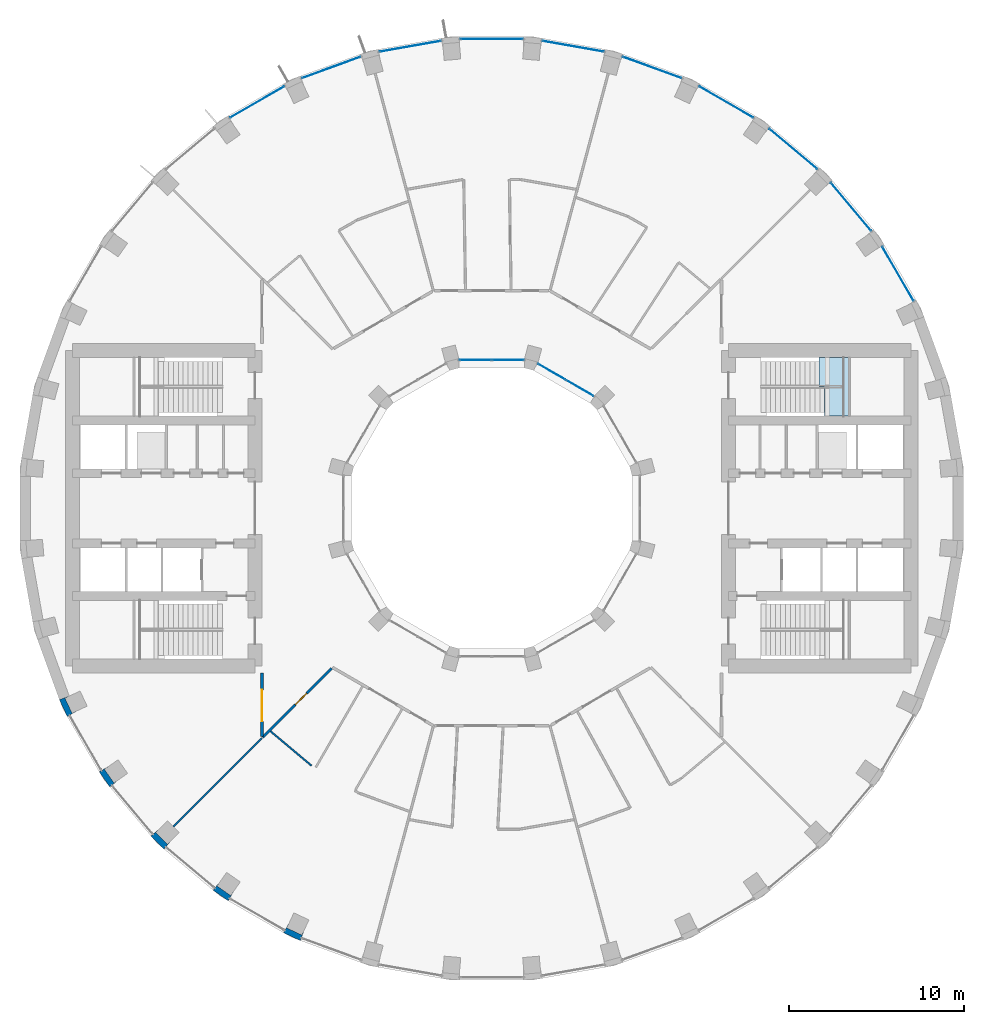
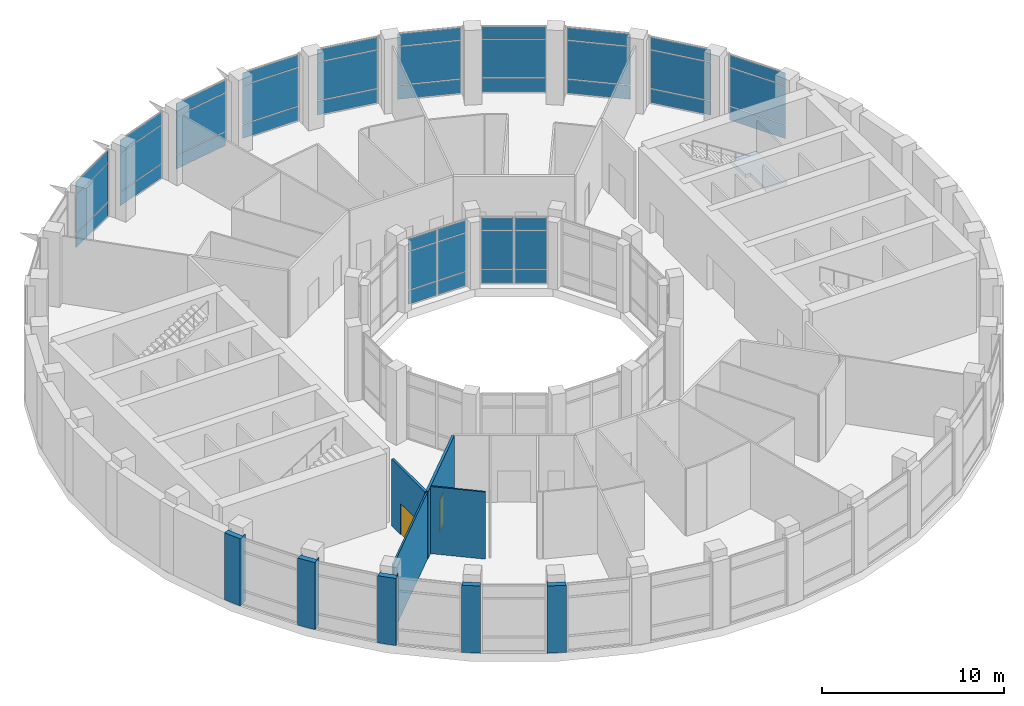
# One storey, part 11 of 18: 42 plates, 9 walls, 2 doors, 1 slab, 2 openings, 13 elements without a shape of their own.
"""IFC4 building model written with IfcOpenShell, lengths in metres."""

from ifc_helpers import new_model, si_unit, direction, frame, frame_2d, origin, origin_2d, place, context, subcontext, project, spatial, polyline, rectangle, outline, extrude, material, layer, layer_set, type_object, element, fill, aggregate, save


model = new_model("IFC4")

# Units and contexts
model_context = context("Model", 3, precision=1e-05, world=origin(), true_north=direction((0.0, 1.0)))
body_context = subcontext(model_context, "Body", "Model", "MODEL_VIEW")
ifc_project = project(units=[si_unit("LENGTHUNIT", "METRE"), si_unit("AREAUNIT", "SQUARE_METRE"), si_unit("VOLUMEUNIT", "CUBIC_METRE"), si_unit("PLANEANGLEUNIT", "RADIAN"), si_unit("MASSUNIT", "GRAM", prefix="KILO")], contexts=[model_context])

# Site, building, storey
site_placement = place(None, origin())
site = spatial("IfcSite", under=ifc_project, at=site_placement, CompositionType="ELEMENT")
building_placement = place(site_placement, origin())
building = spatial("IfcBuilding", under=site, at=building_placement, Name="Saqina Gate Tower", CompositionType="ELEMENT")
storey_placement = place(building_placement, frame((0.0, 0.0, 86.89990234375)))
storey = spatial("IfcBuildingStorey", under=building, at=storey_placement, Name="L24", CompositionType="ELEMENT", Elevation=86.89990234375)

# Curtain wall, plates
ifc_material_1 = material(Name="Aluminium glazing", Category="aluminium")
ifc_layer_1 = layer(ifc_material_1, 0.159912109375)
ifc_layer_set_1 = layer_set([ifc_layer_1], Name="CWT-2")
curtain_wall_type_1 = type_object("IfcCurtainWallType", Name="CWT-2", PredefinedType="NOTDEFINED", material=ifc_layer_set_1)
curtain_wall_1_placement = place(storey_placement, origin())
curtain_wall_1 = element("IfcCurtainWall", 1, at=curtain_wall_1_placement, inside=storey, type_object=curtain_wall_type_1, Name="Sky lounge glazing facet 3", PredefinedType="NOTDEFINED")
ifc_material_2 = material(Name="Glass", Category="glass")
ifc_layer_2 = layer(ifc_material_2, 0.028076171875)
ifc_layer_set_2 = layer_set([ifc_layer_2], Name="CWT-2P")
plate_type_1 = type_object("IfcPlateType", Name="CWT-2P", PredefinedType="CURTAIN_PANEL", material=ifc_layer_set_2)
plate_1_placement = place(storey_placement, frame((23.163818359375, 13.37353515625, 0.06005859375), z_axis=(0.0, 0.0, 1.0), x_axis=(-0.499998512381, 0.86602626266, 0.0)))
plate_1 = element("IfcPlate", 2, at=plate_1_placement, type_object=plate_type_1, Name="CW2-03 panel 1.1", PredefinedType="CURTAIN_PANEL", context=body_context, shape_type="SweptSolid", body=[
    extrude(rectangle(XDim=3.52783203125, YDim=0.028076171875, at=origin_2d()), origin(), (0.0, 0.0, 1.0), 0.909912109375),
])
plate_2_placement = place(storey_placement, frame((23.163818359375, 13.37353515625, 1.030029296875), z_axis=(0.0, 0.0, 1.0), x_axis=(-0.499998512381, 0.86602626266, 0.0)))
plate_2 = element("IfcPlate", 3, at=plate_2_placement, type_object=plate_type_1, Name="CW2-03 panel 1.2", PredefinedType="CURTAIN_PANEL", context=body_context, shape_type="SweptSolid", body=[
    extrude(rectangle(XDim=3.52783203125, YDim=0.028076171875, at=origin_2d()), origin(), (0.0, 0.0, 1.0), 2.5400390625),
])
plate_3_placement = place(storey_placement, frame((23.163818359375, 13.37353515625, 3.630126953125), z_axis=(0.0, 0.0, 1.0), x_axis=(-0.499998512381, 0.86602626266, 0.0)))
plate_3 = element("IfcPlate", 4, at=plate_3_placement, type_object=plate_type_1, Name="CW2-03 panel 1.3", PredefinedType="CURTAIN_PANEL", context=body_context, shape_type="SweptSolid", body=[
    extrude(rectangle(XDim=3.52783203125, YDim=0.028076171875, at=origin_2d()), origin(), (0.0, 0.0, 1.0), 0.81005859375),
])
aggregate(curtain_wall_1, [plate_1, plate_2, plate_3])

curtain_wall_2_placement = place(storey_placement, origin())
curtain_wall_2 = element("IfcCurtainWall", 5, at=curtain_wall_2_placement, inside=storey, type_object=curtain_wall_type_1, Name="Sky lounge glazing facet 4", PredefinedType="NOTDEFINED")
plate_4_placement = place(storey_placement, frame((20.489501953125, 17.19287109375, 0.06005859375), z_axis=(0.0, 0.0, 1.0), x_axis=(-0.642790825553, 0.766041744675, 0.0)))
plate_4 = element("IfcPlate", 6, at=plate_4_placement, type_object=plate_type_1, Name="CW2-04 panel 1.1", PredefinedType="CURTAIN_PANEL", context=body_context, shape_type="SweptSolid", body=[
    extrude(rectangle(XDim=3.52783203125, YDim=0.028076171875, at=origin_2d()), origin(), (0.0, 0.0, 1.0), 0.909912109375),
])
plate_5_placement = place(storey_placement, frame((20.489501953125, 17.19287109375, 1.030029296875), z_axis=(0.0, 0.0, 1.0), x_axis=(-0.642790825553, 0.766041744675, 0.0)))
plate_5 = element("IfcPlate", 7, at=plate_5_placement, type_object=plate_type_1, Name="CW2-04 panel 1.2", PredefinedType="CURTAIN_PANEL", context=body_context, shape_type="SweptSolid", body=[
    extrude(rectangle(XDim=3.52783203125, YDim=0.028076171875, at=origin_2d()), origin(), (0.0, 0.0, 1.0), 2.5400390625),
])
plate_6_placement = place(storey_placement, frame((20.489501953125, 17.19287109375, 3.630126953125), z_axis=(0.0, 0.0, 1.0), x_axis=(-0.642790825553, 0.766041744675, 0.0)))
plate_6 = element("IfcPlate", 8, at=plate_6_placement, type_object=plate_type_1, Name="CW2-04 panel 1.3", PredefinedType="CURTAIN_PANEL", context=body_context, shape_type="SweptSolid", body=[
    extrude(rectangle(XDim=3.52783203125, YDim=0.028076171875, at=origin_2d()), origin(), (0.0, 0.0, 1.0), 0.81005859375),
])
aggregate(curtain_wall_2, [plate_4, plate_5, plate_6])

curtain_wall_3_placement = place(storey_placement, origin())
curtain_wall_3 = element("IfcCurtainWall", 9, at=curtain_wall_3_placement, inside=storey, type_object=curtain_wall_type_1, Name="Sky lounge glazing facet 5", PredefinedType="NOTDEFINED")
plate_7_placement = place(storey_placement, frame((17.19287109375, 20.489501953125, 0.06005859375), z_axis=(0.0, 0.0, 1.0), x_axis=(-0.766041744675, 0.642790825553, 0.0)))
plate_7 = element("IfcPlate", 10, at=plate_7_placement, type_object=plate_type_1, Name="CW2-05 panel 1.1", PredefinedType="CURTAIN_PANEL", context=body_context, shape_type="SweptSolid", body=[
    extrude(rectangle(XDim=3.52783203125, YDim=0.028076171875, at=origin_2d()), origin(), (0.0, 0.0, 1.0), 0.909912109375),
])
plate_8_placement = place(storey_placement, frame((17.19287109375, 20.489501953125, 1.030029296875), z_axis=(0.0, 0.0, 1.0), x_axis=(-0.766041744675, 0.642790825553, 0.0)))
plate_8 = element("IfcPlate", 11, at=plate_8_placement, type_object=plate_type_1, Name="CW2-05 panel 1.2", PredefinedType="CURTAIN_PANEL", context=body_context, shape_type="SweptSolid", body=[
    extrude(rectangle(XDim=3.52783203125, YDim=0.028076171875, at=origin_2d()), origin(), (0.0, 0.0, 1.0), 2.5400390625),
])
plate_9_placement = place(storey_placement, frame((17.19287109375, 20.489501953125, 3.630126953125), z_axis=(0.0, 0.0, 1.0), x_axis=(-0.766041744675, 0.642790825553, 0.0)))
plate_9 = element("IfcPlate", 12, at=plate_9_placement, type_object=plate_type_1, Name="CW2-05 panel 1.3", PredefinedType="CURTAIN_PANEL", context=body_context, shape_type="SweptSolid", body=[
    extrude(rectangle(XDim=3.52783203125, YDim=0.028076171875, at=origin_2d()), origin(), (0.0, 0.0, 1.0), 0.81005859375),
])
aggregate(curtain_wall_3, [plate_7, plate_8, plate_9])

curtain_wall_4_placement = place(storey_placement, origin())
curtain_wall_4 = element("IfcCurtainWall", 13, at=curtain_wall_4_placement, inside=storey, type_object=curtain_wall_type_1, Name="Sky lounge glazing facet 6", PredefinedType="NOTDEFINED")
plate_10_placement = place(storey_placement, frame((13.37353515625, 23.163818359375, 0.06005859375), z_axis=(0.0, 0.0, 1.0), x_axis=(-0.86602626266, 0.499998512381, 0.0)))
plate_10 = element("IfcPlate", 14, at=plate_10_placement, type_object=plate_type_1, Name="CW2-06 panel 1.1", PredefinedType="CURTAIN_PANEL", context=body_context, shape_type="SweptSolid", body=[
    extrude(rectangle(XDim=3.52783203125, YDim=0.028076171875, at=origin_2d()), origin(), (0.0, 0.0, 1.0), 0.909912109375),
])
plate_11_placement = place(storey_placement, frame((13.37353515625, 23.163818359375, 1.030029296875), z_axis=(0.0, 0.0, 1.0), x_axis=(-0.86602626266, 0.499998512381, 0.0)))
plate_11 = element("IfcPlate", 15, at=plate_11_placement, type_object=plate_type_1, Name="CW2-06 panel 1.2", PredefinedType="CURTAIN_PANEL", context=body_context, shape_type="SweptSolid", body=[
    extrude(rectangle(XDim=3.52783203125, YDim=0.028076171875, at=origin_2d()), origin(), (0.0, 0.0, 1.0), 2.5400390625),
])
plate_12_placement = place(storey_placement, frame((13.37353515625, 23.163818359375, 3.630126953125), z_axis=(0.0, 0.0, 1.0), x_axis=(-0.86602626266, 0.499998512381, 0.0)))
plate_12 = element("IfcPlate", 16, at=plate_12_placement, type_object=plate_type_1, Name="CW2-06 panel 1.3", PredefinedType="CURTAIN_PANEL", context=body_context, shape_type="SweptSolid", body=[
    extrude(rectangle(XDim=3.52783203125, YDim=0.028076171875, at=origin_2d()), origin(), (0.0, 0.0, 1.0), 0.81005859375),
])
aggregate(curtain_wall_4, [plate_10, plate_11, plate_12])

curtain_wall_5_placement = place(storey_placement, origin())
curtain_wall_5 = element("IfcCurtainWall", 17, at=curtain_wall_5_placement, inside=storey, type_object=curtain_wall_type_1, Name="Sky lounge glazing facet 7", PredefinedType="NOTDEFINED")
plate_13_placement = place(storey_placement, frame((9.148193359375, 25.13427734375, 0.06005859375), z_axis=(0.0, 0.0, 1.0), x_axis=(-0.939694133483, 0.342015987197, 0.0)))
plate_13 = element("IfcPlate", 18, at=plate_13_placement, type_object=plate_type_1, Name="CW2-07 panel 1.1", PredefinedType="CURTAIN_PANEL", context=body_context, shape_type="SweptSolid", body=[
    extrude(rectangle(XDim=3.52783203125, YDim=0.028076171875, at=origin_2d()), origin(), (0.0, 0.0, 1.0), 0.909912109375),
])
plate_14_placement = place(storey_placement, frame((9.148193359375, 25.13427734375, 1.030029296875), z_axis=(0.0, 0.0, 1.0), x_axis=(-0.939694133483, 0.342015987197, 0.0)))
plate_14 = element("IfcPlate", 19, at=plate_14_placement, type_object=plate_type_1, Name="CW2-07 panel 1.2", PredefinedType="CURTAIN_PANEL", context=body_context, shape_type="SweptSolid", body=[
    extrude(rectangle(XDim=3.52783203125, YDim=0.028076171875, at=origin_2d()), origin(), (0.0, 0.0, 1.0), 2.5400390625),
])
plate_15_placement = place(storey_placement, frame((9.148193359375, 25.13427734375, 3.630126953125), z_axis=(0.0, 0.0, 1.0), x_axis=(-0.939694133483, 0.342015987197, 0.0)))
plate_15 = element("IfcPlate", 20, at=plate_15_placement, type_object=plate_type_1, Name="CW2-07 panel 1.3", PredefinedType="CURTAIN_PANEL", context=body_context, shape_type="SweptSolid", body=[
    extrude(rectangle(XDim=3.52783203125, YDim=0.028076171875, at=origin_2d()), origin(), (0.0, 0.0, 1.0), 0.81005859375),
])
aggregate(curtain_wall_5, [plate_13, plate_14, plate_15])

curtain_wall_6_placement = place(storey_placement, origin())
curtain_wall_6 = element("IfcCurtainWall", 21, at=curtain_wall_6_placement, inside=storey, type_object=curtain_wall_type_1, Name="Sky lounge glazing facet 8", PredefinedType="NOTDEFINED")
plate_16_placement = place(storey_placement, frame((4.64453125, 26.3408203125, 0.06005859375), z_axis=(0.0, 0.0, 1.0), x_axis=(-0.984809489664, 0.17363832834, 0.0)))
plate_16 = element("IfcPlate", 22, at=plate_16_placement, type_object=plate_type_1, Name="CW2-08 panel 1.1", PredefinedType="CURTAIN_PANEL", context=body_context, shape_type="SweptSolid", body=[
    extrude(rectangle(XDim=3.52783203125, YDim=0.028076171875, at=origin_2d()), origin(), (0.0, 0.0, 1.0), 0.909912109375),
])
plate_17_placement = place(storey_placement, frame((4.64453125, 26.3408203125, 1.030029296875), z_axis=(0.0, 0.0, 1.0), x_axis=(-0.984809489664, 0.17363832834, 0.0)))
plate_17 = element("IfcPlate", 23, at=plate_17_placement, type_object=plate_type_1, Name="CW2-08 panel 1.2", PredefinedType="CURTAIN_PANEL", context=body_context, shape_type="SweptSolid", body=[
    extrude(rectangle(XDim=3.52783203125, YDim=0.028076171875, at=origin_2d()), origin(), (0.0, 0.0, 1.0), 2.5400390625),
])
plate_18_placement = place(storey_placement, frame((4.64453125, 26.3408203125, 3.630126953125), z_axis=(0.0, 0.0, 1.0), x_axis=(-0.984809489664, 0.17363832834, 0.0)))
plate_18 = element("IfcPlate", 24, at=plate_18_placement, type_object=plate_type_1, Name="CW2-08 panel 1.3", PredefinedType="CURTAIN_PANEL", context=body_context, shape_type="SweptSolid", body=[
    extrude(rectangle(XDim=3.52783203125, YDim=0.028076171875, at=origin_2d()), origin(), (0.0, 0.0, 1.0), 0.81005859375),
])
aggregate(curtain_wall_6, [plate_16, plate_17, plate_18])

curtain_wall_7_placement = place(storey_placement, origin())
curtain_wall_7 = element("IfcCurtainWall", 25, at=curtain_wall_7_placement, inside=storey, type_object=curtain_wall_type_1, Name="Sky lounge glazing facet 9", PredefinedType="NOTDEFINED")
plate_19_placement = place(storey_placement, frame((0.0, 26.747314453125, 0.06005859375), z_axis=(0.0, 0.0, 1.0), x_axis=(-1.0, 0.0, 0.0)))
plate_19 = element("IfcPlate", 26, at=plate_19_placement, type_object=plate_type_1, Name="CW2-09 panel 1.1", PredefinedType="CURTAIN_PANEL", context=body_context, shape_type="SweptSolid", body=[
    extrude(rectangle(XDim=3.52783203125, YDim=0.028076171875, at=origin_2d()), origin(), (0.0, 0.0, 1.0), 0.909912109375),
])
plate_20_placement = place(storey_placement, frame((0.0, 26.747314453125, 1.030029296875), z_axis=(0.0, 0.0, 1.0), x_axis=(-1.0, 0.0, 0.0)))
plate_20 = element("IfcPlate", 27, at=plate_20_placement, type_object=plate_type_1, Name="CW2-09 panel 1.2", PredefinedType="CURTAIN_PANEL", context=body_context, shape_type="SweptSolid", body=[
    extrude(rectangle(XDim=3.52783203125, YDim=0.028076171875, at=origin_2d()), origin(), (0.0, 0.0, 1.0), 2.5400390625),
])
plate_21_placement = place(storey_placement, frame((0.0, 26.747314453125, 3.630126953125), z_axis=(0.0, 0.0, 1.0), x_axis=(-1.0, 0.0, 0.0)))
plate_21 = element("IfcPlate", 28, at=plate_21_placement, type_object=plate_type_1, Name="CW2-09 panel 1.3", PredefinedType="CURTAIN_PANEL", context=body_context, shape_type="SweptSolid", body=[
    extrude(rectangle(XDim=3.52783203125, YDim=0.028076171875, at=origin_2d()), origin(), (0.0, 0.0, 1.0), 0.81005859375),
])
aggregate(curtain_wall_7, [plate_19, plate_20, plate_21])

curtain_wall_8_placement = place(storey_placement, origin())
curtain_wall_8 = element("IfcCurtainWall", 29, at=curtain_wall_8_placement, inside=storey, type_object=curtain_wall_type_1, Name="Sky lounge glazing facet 10", PredefinedType="NOTDEFINED")
plate_22_placement = place(storey_placement, frame((-4.64453125, 26.3408203125, 0.06005859375), z_axis=(0.0, 0.0, 1.0), x_axis=(-0.984809489664, -0.17363832834, 0.0)))
plate_22 = element("IfcPlate", 30, at=plate_22_placement, type_object=plate_type_1, Name="CW2-10 panel 1.1", PredefinedType="CURTAIN_PANEL", context=body_context, shape_type="SweptSolid", body=[
    extrude(rectangle(XDim=3.52783203125, YDim=0.028076171875, at=origin_2d()), origin(), (0.0, 0.0, 1.0), 0.909912109375),
])
plate_23_placement = place(storey_placement, frame((-4.64453125, 26.3408203125, 1.030029296875), z_axis=(0.0, 0.0, 1.0), x_axis=(-0.984809489664, -0.17363832834, 0.0)))
plate_23 = element("IfcPlate", 31, at=plate_23_placement, type_object=plate_type_1, Name="CW2-10 panel 1.2", PredefinedType="CURTAIN_PANEL", context=body_context, shape_type="SweptSolid", body=[
    extrude(rectangle(XDim=3.52783203125, YDim=0.028076171875, at=origin_2d()), origin(), (0.0, 0.0, 1.0), 2.5400390625),
])
plate_24_placement = place(storey_placement, frame((-4.64453125, 26.3408203125, 3.630126953125), z_axis=(0.0, 0.0, 1.0), x_axis=(-0.984809489664, -0.17363832834, 0.0)))
plate_24 = element("IfcPlate", 32, at=plate_24_placement, type_object=plate_type_1, Name="CW2-10 panel 1.3", PredefinedType="CURTAIN_PANEL", context=body_context, shape_type="SweptSolid", body=[
    extrude(rectangle(XDim=3.52783203125, YDim=0.028076171875, at=origin_2d()), origin(), (0.0, 0.0, 1.0), 0.81005859375),
])
aggregate(curtain_wall_8, [plate_22, plate_23, plate_24])

curtain_wall_9_placement = place(storey_placement, origin())
curtain_wall_9 = element("IfcCurtainWall", 33, at=curtain_wall_9_placement, inside=storey, type_object=curtain_wall_type_1, Name="Sky lounge glazing facet 11", PredefinedType="NOTDEFINED")
plate_25_placement = place(storey_placement, frame((-9.148193359375, 25.13427734375, 0.06005859375), z_axis=(0.0, 0.0, 1.0), x_axis=(-0.939694133483, -0.342015987197, 0.0)))
plate_25 = element("IfcPlate", 34, at=plate_25_placement, type_object=plate_type_1, Name="CW2-11 panel 1.1", PredefinedType="CURTAIN_PANEL", context=body_context, shape_type="SweptSolid", body=[
    extrude(rectangle(XDim=3.52783203125, YDim=0.028076171875, at=origin_2d()), origin(), (0.0, 0.0, 1.0), 0.909912109375),
])
plate_26_placement = place(storey_placement, frame((-9.148193359375, 25.13427734375, 1.030029296875), z_axis=(0.0, 0.0, 1.0), x_axis=(-0.939694133483, -0.342015987197, 0.0)))
plate_26 = element("IfcPlate", 35, at=plate_26_placement, type_object=plate_type_1, Name="CW2-11 panel 1.2", PredefinedType="CURTAIN_PANEL", context=body_context, shape_type="SweptSolid", body=[
    extrude(rectangle(XDim=3.52783203125, YDim=0.028076171875, at=origin_2d()), origin(), (0.0, 0.0, 1.0), 2.5400390625),
])
plate_27_placement = place(storey_placement, frame((-9.148193359375, 25.13427734375, 3.630126953125), z_axis=(0.0, 0.0, 1.0), x_axis=(-0.939694133483, -0.342015987197, 0.0)))
plate_27 = element("IfcPlate", 36, at=plate_27_placement, type_object=plate_type_1, Name="CW2-11 panel 1.3", PredefinedType="CURTAIN_PANEL", context=body_context, shape_type="SweptSolid", body=[
    extrude(rectangle(XDim=3.52783203125, YDim=0.028076171875, at=origin_2d()), origin(), (0.0, 0.0, 1.0), 0.81005859375),
])
aggregate(curtain_wall_9, [plate_25, plate_26, plate_27])

curtain_wall_10_placement = place(storey_placement, origin())
curtain_wall_10 = element("IfcCurtainWall", 37, at=curtain_wall_10_placement, inside=storey, type_object=curtain_wall_type_1, Name="Sky lounge glazing facet 12", PredefinedType="NOTDEFINED")
plate_28_placement = place(storey_placement, frame((-13.37353515625, 23.163818359375, 0.06005859375), z_axis=(0.0, 0.0, 1.0), x_axis=(-0.86602626266, -0.499998512381, 0.0)))
plate_28 = element("IfcPlate", 38, at=plate_28_placement, type_object=plate_type_1, Name="CW2-12 panel 1.1", PredefinedType="CURTAIN_PANEL", context=body_context, shape_type="SweptSolid", body=[
    extrude(rectangle(XDim=3.52783203125, YDim=0.028076171875, at=origin_2d()), origin(), (0.0, 0.0, 1.0), 0.909912109375),
])
plate_29_placement = place(storey_placement, frame((-13.37353515625, 23.163818359375, 1.030029296875), z_axis=(0.0, 0.0, 1.0), x_axis=(-0.86602626266, -0.499998512381, 0.0)))
plate_29 = element("IfcPlate", 39, at=plate_29_placement, type_object=plate_type_1, Name="CW2-12 panel 1.2", PredefinedType="CURTAIN_PANEL", context=body_context, shape_type="SweptSolid", body=[
    extrude(rectangle(XDim=3.52783203125, YDim=0.028076171875, at=origin_2d()), origin(), (0.0, 0.0, 1.0), 2.5400390625),
])
plate_30_placement = place(storey_placement, frame((-13.37353515625, 23.163818359375, 3.630126953125), z_axis=(0.0, 0.0, 1.0), x_axis=(-0.86602626266, -0.499998512381, 0.0)))
plate_30 = element("IfcPlate", 40, at=plate_30_placement, type_object=plate_type_1, Name="CW2-12 panel 1.3", PredefinedType="CURTAIN_PANEL", context=body_context, shape_type="SweptSolid", body=[
    extrude(rectangle(XDim=3.52783203125, YDim=0.028076171875, at=origin_2d()), origin(), (0.0, 0.0, 1.0), 0.81005859375),
])
aggregate(curtain_wall_10, [plate_28, plate_29, plate_30])

ifc_material_3 = material(Name="Aluminium glazing", Category="aluminium")
ifc_layer_3 = layer(ifc_material_3, 0.159912109375)
ifc_layer_set_3 = layer_set([ifc_layer_3], Name="CWT-3")
curtain_wall_type_2 = type_object("IfcCurtainWallType", Name="CWT-3", PredefinedType="NOTDEFINED", material=ifc_layer_set_3)
curtain_wall_11_placement = place(storey_placement, origin())
curtain_wall_11 = element("IfcCurtainWall", 41, at=curtain_wall_11_placement, inside=storey, type_object=curtain_wall_type_2, Name="Sky lounge well glazing L24 facet 2", PredefinedType="NOTDEFINED")
ifc_material_4 = material(Name="Glass", Category="glass")
ifc_layer_4 = layer(ifc_material_4, 0.028076171875)
ifc_layer_set_4 = layer_set([ifc_layer_4], Name="CWT-3P")
plate_type_2 = type_object("IfcPlateType", Name="CWT-3P", PredefinedType="CURTAIN_PANEL", material=ifc_layer_set_4)
plate_31_placement = place(storey_placement, frame((5.0234375, 6.85693359375, 0.06005859375), z_axis=(0.0, 0.0, 1.0), x_axis=(-0.866029166445, 0.499993482823, 0.0)))
plate_31 = element("IfcPlate", 42, at=plate_31_placement, type_object=plate_type_2, Name="CW3-02 panel 1.1", PredefinedType="CURTAIN_PANEL", context=body_context, shape_type="SweptSolid", body=[
    extrude(rectangle(XDim=1.78369140625, YDim=0.028076171875, at=origin_2d()), origin(), (0.0, 0.0, 1.0), 0.909912109375),
])
plate_32_placement = place(storey_placement, frame((5.0234375, 6.85693359375, 1.030029296875), z_axis=(0.0, 0.0, 1.0), x_axis=(-0.866029166445, 0.499993482823, 0.0)))
plate_32 = element("IfcPlate", 43, at=plate_32_placement, type_object=plate_type_2, Name="CW3-02 panel 1.2", PredefinedType="CURTAIN_PANEL", context=body_context, shape_type="SweptSolid", body=[
    extrude(rectangle(XDim=1.78369140625, YDim=0.028076171875, at=origin_2d()), origin(), (0.0, 0.0, 1.0), 2.5400390625),
])
plate_33_placement = place(storey_placement, frame((5.0234375, 6.85693359375, 3.630126953125), z_axis=(0.0, 0.0, 1.0), x_axis=(-0.866029166445, 0.499993482823, 0.0)))
plate_33 = element("IfcPlate", 44, at=plate_33_placement, type_object=plate_type_2, Name="CW3-02 panel 1.3", PredefinedType="CURTAIN_PANEL", context=body_context, shape_type="SweptSolid", body=[
    extrude(rectangle(XDim=1.78369140625, YDim=0.028076171875, at=origin_2d()), origin(), (0.0, 0.0, 1.0), 0.81005859375),
])
plate_34_placement = place(storey_placement, frame((3.4267578125, 7.77880859375, 0.06005859375), z_axis=(0.0, 0.0, 1.0), x_axis=(-0.866029166445, 0.499993482823, 0.0)))
plate_34 = element("IfcPlate", 45, at=plate_34_placement, type_object=plate_type_2, Name="CW3-02 panel 2.1", PredefinedType="CURTAIN_PANEL", context=body_context, shape_type="SweptSolid", body=[
    extrude(rectangle(XDim=1.78369140625, YDim=0.028076171875, at=origin_2d()), origin(), (0.0, 0.0, 1.0), 0.909912109375),
])
plate_35_placement = place(storey_placement, frame((3.4267578125, 7.77880859375, 1.030029296875), z_axis=(0.0, 0.0, 1.0), x_axis=(-0.866029166445, 0.499993482823, 0.0)))
plate_35 = element("IfcPlate", 46, at=plate_35_placement, type_object=plate_type_2, Name="CW3-02 panel 2.2", PredefinedType="CURTAIN_PANEL", context=body_context, shape_type="SweptSolid", body=[
    extrude(rectangle(XDim=1.78369140625, YDim=0.028076171875, at=origin_2d()), origin(), (0.0, 0.0, 1.0), 2.5400390625),
])
plate_36_placement = place(storey_placement, frame((3.4267578125, 7.77880859375, 3.630126953125), z_axis=(0.0, 0.0, 1.0), x_axis=(-0.866029166445, 0.499993482823, 0.0)))
plate_36 = element("IfcPlate", 47, at=plate_36_placement, type_object=plate_type_2, Name="CW3-02 panel 2.3", PredefinedType="CURTAIN_PANEL", context=body_context, shape_type="SweptSolid", body=[
    extrude(rectangle(XDim=1.78369140625, YDim=0.028076171875, at=origin_2d()), origin(), (0.0, 0.0, 1.0), 0.81005859375),
])
aggregate(curtain_wall_11, [plate_31, plate_32, plate_33, plate_34, plate_35, plate_36])

curtain_wall_12_placement = place(storey_placement, origin())
curtain_wall_12 = element("IfcCurtainWall", 48, at=curtain_wall_12_placement, inside=storey, type_object=curtain_wall_type_2, Name="Sky lounge well glazing L24 facet 3", PredefinedType="NOTDEFINED")
plate_37_placement = place(storey_placement, frame((0.921875, 8.449951171875, 0.06005859375), z_axis=(0.0, 0.0, 1.0), x_axis=(-1.0, 0.0, 0.0)))
plate_37 = element("IfcPlate", 49, at=plate_37_placement, type_object=plate_type_2, Name="CW3-03 panel 1.1", PredefinedType="CURTAIN_PANEL", context=body_context, shape_type="SweptSolid", body=[
    extrude(rectangle(XDim=1.78369140625, YDim=0.028076171875, at=origin_2d()), origin(), (0.0, 0.0, 1.0), 0.909912109375),
])
plate_38_placement = place(storey_placement, frame((0.921875, 8.449951171875, 1.030029296875), z_axis=(0.0, 0.0, 1.0), x_axis=(-1.0, 0.0, 0.0)))
plate_38 = element("IfcPlate", 50, at=plate_38_placement, type_object=plate_type_2, Name="CW3-03 panel 1.2", PredefinedType="CURTAIN_PANEL", context=body_context, shape_type="SweptSolid", body=[
    extrude(rectangle(XDim=1.78369140625, YDim=0.028076171875, at=origin_2d()), origin(), (0.0, 0.0, 1.0), 2.5400390625),
])
plate_39_placement = place(storey_placement, frame((0.921875, 8.449951171875, 3.630126953125), z_axis=(0.0, 0.0, 1.0), x_axis=(-1.0, 0.0, 0.0)))
plate_39 = element("IfcPlate", 51, at=plate_39_placement, type_object=plate_type_2, Name="CW3-03 panel 1.3", PredefinedType="CURTAIN_PANEL", context=body_context, shape_type="SweptSolid", body=[
    extrude(rectangle(XDim=1.78369140625, YDim=0.028076171875, at=origin_2d()), origin(), (0.0, 0.0, 1.0), 0.81005859375),
])
plate_40_placement = place(storey_placement, frame((-0.921875, 8.449951171875, 0.06005859375), z_axis=(0.0, 0.0, 1.0), x_axis=(-1.0, 0.0, 0.0)))
plate_40 = element("IfcPlate", 52, at=plate_40_placement, type_object=plate_type_2, Name="CW3-03 panel 2.1", PredefinedType="CURTAIN_PANEL", context=body_context, shape_type="SweptSolid", body=[
    extrude(rectangle(XDim=1.78369140625, YDim=0.028076171875, at=origin_2d()), origin(), (0.0, 0.0, 1.0), 0.909912109375),
])
plate_41_placement = place(storey_placement, frame((-0.921875, 8.449951171875, 1.030029296875), z_axis=(0.0, 0.0, 1.0), x_axis=(-1.0, 0.0, 0.0)))
plate_41 = element("IfcPlate", 53, at=plate_41_placement, type_object=plate_type_2, Name="CW3-03 panel 2.2", PredefinedType="CURTAIN_PANEL", context=body_context, shape_type="SweptSolid", body=[
    extrude(rectangle(XDim=1.78369140625, YDim=0.028076171875, at=origin_2d()), origin(), (0.0, 0.0, 1.0), 2.5400390625),
])
plate_42_placement = place(storey_placement, frame((-0.921875, 8.449951171875, 3.630126953125), z_axis=(0.0, 0.0, 1.0), x_axis=(-1.0, 0.0, 0.0)))
plate_42 = element("IfcPlate", 54, at=plate_42_placement, type_object=plate_type_2, Name="CW3-03 panel 2.3", PredefinedType="CURTAIN_PANEL", context=body_context, shape_type="SweptSolid", body=[
    extrude(rectangle(XDim=1.78369140625, YDim=0.028076171875, at=origin_2d()), origin(), (0.0, 0.0, 1.0), 0.81005859375),
])
aggregate(curtain_wall_12, [plate_37, plate_38, plate_39, plate_40, plate_41, plate_42])

# Stair, slab
ifc_material_5 = material(Name="Concrete C40/50", Category="concrete")
stair_type = type_object("IfcStairType", Name="EXIT STAIR", PredefinedType="HALF_TURN_STAIR", material=ifc_material_5)
stair_placement = place(storey_placement, origin())
stair = element("IfcStair", 55, at=stair_placement, inside=storey, type_object=stair_type, Name="EXIT STAIR 1", PredefinedType="HALF_TURN_STAIR")
ifc_material_6 = material(Name="Concrete C40/50", Category="concrete")
ifc_layer_5 = layer(ifc_material_6, 0.25)
ifc_layer_set_5 = layer_set([ifc_layer_5], Name="Concrete C40/50")
slab_type = type_object("IfcSlabType", Name="EXIT STAIR LANDING", PredefinedType="LANDING", material=ifc_layer_set_5)
slab_placement = place(storey_placement, frame((0.0, 0.0, 2.25)))
slab = element("IfcSlab", 56, at=slab_placement, type_object=slab_type, Name="EXIT STAIR 1 LANDING 1", PredefinedType="LANDING", context=body_context, shape_type="SweptSolid", body=[
    extrude(outline(polyline([(20.340087890625, 8.60009765625), (20.340087890625, 5.25), (18.985107421875, 5.25), (18.985107421875, 6.925048828125), (18.6708984375, 6.925048828125), (18.6708984375, 8.60009765625), (18.985107421875, 8.60009765625), (18.989990234375, 8.60009765625), (20.340087890625, 8.60009765625)])), origin(), (0.0, 0.0, 1.0), 0.25),
])
aggregate(stair, [slab])

# Walls
ifc_material_7 = material(Name="Brick masonry (buff)", Category="masonry")
wall_type_1 = type_object("IfcWallType", Name="BRICK PIER COPING BUFF", PredefinedType="SOLIDWALL", material=ifc_material_7)
wall_1_placement = place(storey_placement, origin())
element("IfcWall", 57, at=wall_1_placement, inside=storey, type_object=wall_type_1, Name="Pier cap L24 column 21", PredefinedType="SOLIDWALL", context=body_context, shape_type="SweptSolid", body=[
    extrude(outline(polyline([(-24.6513671875, -10.913330078125), (-24.205810546875, -11.869140625), (-23.68603515625, -11.569091796875), (-23.9296875, -11.6826171875), (-24.331298828125, -10.82177734375), (-24.08740234375, -10.7080078125), (-24.6513671875, -10.913330078125)])), origin(), (0.0, 0.0, 1.0), 4.5),
])
wall_2_placement = place(storey_placement, origin())
element("IfcWall", 58, at=wall_2_placement, inside=storey, type_object=wall_type_1, Name="Pier cap L24 column 22", PredefinedType="SOLIDWALL", context=body_context, shape_type="SweptSolid", body=[
    extrude(outline(polyline([(-21.77685546875, -15.89208984375), (-21.317138671875, -15.50634765625), (-21.53759765625, -15.66064453125), (-22.08251953125, -14.88232421875), (-21.862060546875, -14.728271484375), (-22.3818359375, -15.0283203125), (-21.77685546875, -15.89208984375)])), origin(), (0.0, 0.0, 1.0), 4.5),
])
wall_3_placement = place(storey_placement, origin())
element("IfcWall", 59, at=wall_3_placement, inside=storey, type_object=wall_type_1, Name="Pier cap L24 column 23", PredefinedType="SOLIDWALL", context=body_context, shape_type="SweptSolid", body=[
    extrude(outline(polyline([(-19.43212890625, -18.686279296875), (-18.686279296875, -19.43212890625), (-18.30078125, -18.972412109375), (-18.49072265625, -19.16259765625), (-19.16259765625, -18.49072265625), (-18.972412109375, -18.30078125), (-19.43212890625, -18.686279296875)])), origin(), (0.0, 0.0, 1.0), 4.5),
])
wall_4_placement = place(storey_placement, origin())
element("IfcWall", 60, at=wall_4_placement, inside=storey, type_object=wall_type_1, Name="Pier cap L24 column 24", PredefinedType="SOLIDWALL", context=body_context, shape_type="SweptSolid", body=[
    extrude(outline(polyline([(-15.0283203125, -22.3818359375), (-14.728271484375, -21.862060546875), (-14.88232421875, -22.08251953125), (-15.66064453125, -21.53759765625), (-15.50634765625, -21.317138671875), (-15.89208984375, -21.77685546875), (-15.0283203125, -22.3818359375)])), origin(), (0.0, 0.0, 1.0), 4.5),
])
wall_5_placement = place(storey_placement, origin())
element("IfcWall", 61, at=wall_5_placement, inside=storey, type_object=wall_type_1, Name="Pier cap L24 column 25", PredefinedType="SOLIDWALL", context=body_context, shape_type="SweptSolid", body=[
    extrude(outline(polyline([(-10.913330078125, -24.6513671875), (-10.7080078125, -24.08740234375), (-10.82177734375, -24.331298828125), (-11.6826171875, -23.9296875), (-11.569091796875, -23.68603515625), (-11.869140625, -24.205810546875), (-10.913330078125, -24.6513671875)])), origin(), (0.0, 0.0, 1.0), 4.5),
])
ifc_material_8 = material(Name="Gypsum board on steel studs, 100 mm", Category="steel")
ifc_layer_6 = layer(ifc_material_8, 0.10009765625)
ifc_layer_set_6 = layer_set([ifc_layer_6], Name="SPECIAL PARTITION 100")
wall_type_2 = type_object("IfcWallType", Name="SPECIAL PARTITION 100", PredefinedType="PARTITIONING", material=ifc_layer_set_6)
wall_6_placement = place(storey_placement, frame((-12.610595703125, -12.71630859375, 0.0), z_axis=(0.0, 0.0, 1.0), x_axis=(0.766096106851, -0.642726034222, 0.0)))
element("IfcWall", 62, at=wall_6_placement, inside=storey, type_object=wall_type_2, Name="PARTITION 013", PredefinedType="PARTITIONING", context=body_context, shape_type="SweptSolid", body=[
    extrude(rectangle(XDim=3.047607421875, YDim=0.10009765625, at=frame_2d((1.52392578125, 0.0))), origin(), (0.0, 0.0, 1.0), 4.5),
])
wall_7_placement = place(storey_placement, frame((-18.14794921875, -18.14794921875, 0.0), z_axis=(0.0, 0.0, 1.0), x_axis=(0.707106781187, 0.707106781187, 0.0)))
element("IfcWall", 63, at=wall_7_placement, inside=storey, type_object=wall_type_2, Name="PARTITION 037", PredefinedType="PARTITIONING", context=body_context, shape_type="SweptSolid", body=[
    extrude(rectangle(XDim=7.138671875, YDim=0.10009765625, at=frame_2d((3.5693359375, 0.0))), origin(), (0.0, 0.0, 1.0), 4.5),
])

# Wall, opening, door
ifc_material_9 = material(Name="Gypsum board on steel studs, 150 mm, fire rated", Category="steel")
ifc_layer_7 = layer(ifc_material_9, 0.14990234375)
ifc_layer_set_7 = layer_set([ifc_layer_7], Name="SPECIAL PARTITION EI 30 150")
wall_type_3 = type_object("IfcWallType", Name="SPECIAL PARTITION EI 30 150", PredefinedType="PARTITIONING", material=ifc_layer_set_7)
wall_8_placement = place(storey_placement, frame((-13.064697265625, -13.064697265625, 0.0), z_axis=(0.0, 0.0, 1.0), x_axis=(0.707106781187, 0.707106781187, 0.0)))
wall_8 = element("IfcWall", 64, at=wall_8_placement, inside=storey, type_object=wall_type_3, Name="PARTITION 039", PredefinedType="PARTITIONING", context=body_context, shape_type="SweptSolid", body=[
    extrude(rectangle(XDim=5.564697265625, YDim=0.14990234375, at=frame_2d((2.7822265625, 0.0))), origin(), (0.0, 0.0, 1.0), 4.5),
])
opening_1_placement = place(wall_8_placement, frame((2.650146484375, 0.0, 0.0)))
opening_1 = element("IfcOpeningElement", 65, at=opening_1_placement, cuts=wall_8, Name="Opening L24-D14", PredefinedType="OPENING", context=body_context, shape_type="SweptSolid", body=[
    extrude(rectangle(XDim=0.89990234375, YDim=2.10009765625, at=frame_2d((0.449951171875, 1.050048828125))), frame((0.0, 0.0869140625, 0.0), z_axis=(0.0, -1.0, 0.0), x_axis=(1.0, 0.0, 0.0)), (0.0, 0.0, 1.0), 0.173828125),
])
ifc_material_10 = material(Name="Steel-framed fire door leaf, EI 30", Category="steel")
door_type_1 = type_object("IfcDoorType", Name="SPECIAL DOOR 900 FIRE EI 30", OperationType="SINGLE_SWING_LEFT", PredefinedType="DOOR", material=ifc_material_10)
door_1_placement = place(opening_1_placement, frame((0.89990234375, 0.0, 0.0), z_axis=(0.0, 0.0, 1.0), x_axis=(-1.0, 0.0, 0.0)))
door_1 = element("IfcDoor", 66, at=door_1_placement, inside=storey, type_object=door_type_1, Name="DOOR L24-D14", OperationType="SINGLE_SWING_LEFT", OverallHeight=2.10009765625, OverallWidth=0.89990234375, PredefinedType="DOOR", context=body_context, shape_type="SweptSolid", body=[
    extrude(rectangle(XDim=0.89990234375, YDim=2.10009765625, at=frame_2d((0.449951171875, 1.050048828125))), frame((0.0, 0.02490234375, 0.0), z_axis=(0.0, -1.0, 0.0), x_axis=(1.0, 0.0, 0.0)), (0.0, 0.0, 1.0), 0.050048828125),
])
fill(opening_1, door_1)

wall_9_placement = place(storey_placement, frame((-13.10009765625, -13.02490234375, 0.0), z_axis=(0.0, 0.0, 1.0), x_axis=(0.0, 1.0, 0.0)))
wall_9 = element("IfcWall", 67, at=wall_9_placement, inside=storey, type_object=wall_type_3, Name="PARTITION 051", PredefinedType="PARTITIONING", context=body_context, shape_type="SweptSolid", body=[
    extrude(rectangle(XDim=3.625, YDim=0.14990234375, at=frame_2d((1.8125, 0.0))), origin(), (0.0, 0.0, 1.0), 4.5),
])
opening_2_placement = place(wall_9_placement, frame((0.875, 0.0, 0.0)))
opening_2 = element("IfcOpeningElement", 68, at=opening_2_placement, cuts=wall_9, Name="Opening L24-D13", PredefinedType="OPENING", context=body_context, shape_type="SweptSolid", body=[
    extrude(rectangle(XDim=1.800048828125, YDim=2.10009765625, at=frame_2d((0.89990234375, 1.050048828125))), frame((0.0, 0.0869140625, 0.0), z_axis=(0.0, -1.0, 0.0), x_axis=(1.0, 0.0, 0.0)), (0.0, 0.0, 1.0), 0.173828125),
])
ifc_material_11 = material(Name="Steel-framed fire door leaf, EI 30", Category="steel")
door_type_2 = type_object("IfcDoorType", Name="SPECIAL DOUBLE DOOR 1800 FIRE EI 30", OperationType="DOUBLE_DOOR_SINGLE_SWING", PredefinedType="DOOR", material=ifc_material_11)
door_2_placement = place(opening_2_placement, origin())
door_2 = element("IfcDoor", 69, at=door_2_placement, inside=storey, type_object=door_type_2, Name="DOOR L24-D13", OperationType="DOUBLE_DOOR_SINGLE_SWING", OverallHeight=2.10009765625, OverallWidth=1.800048828125, PredefinedType="DOOR", context=body_context, shape_type="SweptSolid", body=[
    extrude(rectangle(XDim=1.800048828125, YDim=2.10009765625, at=frame_2d((0.89990234375, 1.050048828125))), frame((0.0, 0.02490234375, 0.0), z_axis=(0.0, -1.0, 0.0), x_axis=(1.0, 0.0, 0.0)), (0.0, 0.0, 1.0), 0.050048828125),
])
fill(opening_2, door_2)

save(model, "model.ifc")
